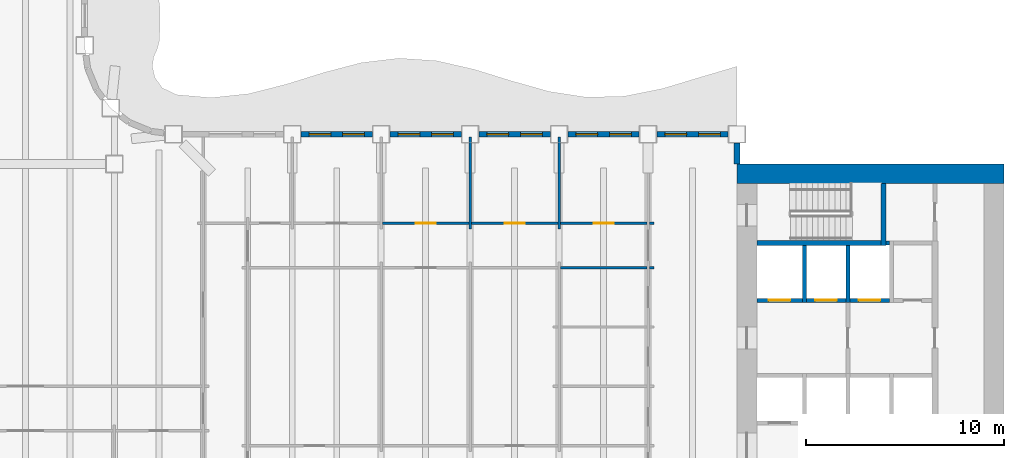
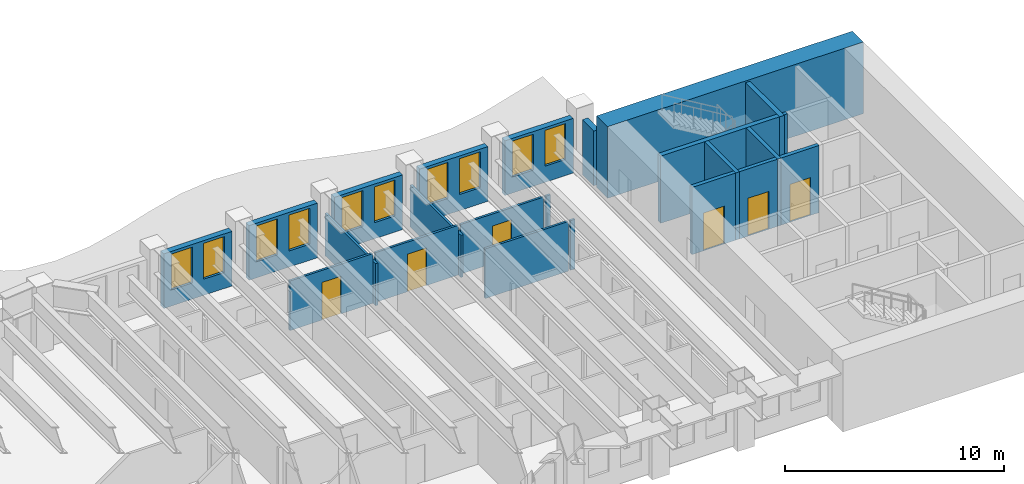
# One storey, part 7 of 16: 23 walls, 10 windows, 6 doors, 16 openings.
"""IFC4 building model written with IfcOpenShell, lengths in metres."""

import ifcopenshell
import ifcopenshell.guid

model = None  # the IFC model being written
_history = None  # IfcOwnerHistory: only IFC2X3 demands one
_inside = {}  # id of a spatial element -> (the spatial element, [elements in it])
_under = {}  # id of a project, library or spatial element -> (it, [spatial elements below it])
_declared = {}  # id of a project -> (the project, [libraries it declares])
_typed = {}  # id of a type object -> (the type object, [elements of that type])
_made_of = {}  # id of a material, layer set ... -> (it, [elements and type objects made of it])


def new_model(schema):
    """Start an empty IFC model of exactly this schema.

    Asked for "IFC4X3", IfcOpenShell would pick the latest addendum, in which some entities
    have other attributes; the version numbers below select the first issue.
    IFC2X3 requires an IfcOwnerHistory on every rooted entity: one is made here for all.
    """
    global model, _history
    if schema == "IFC4X3":
        model = ifcopenshell.file(schema_version=(4, 3, 0, 0))
    else:
        model = ifcopenshell.file(schema=schema)
    _inside.clear()
    _under.clear()
    _declared.clear()
    _typed.clear()
    _made_of.clear()
    _history = None
    if model.schema == "IFC2X3":
        org = make("IfcOrganization", Name="unknown")
        user = make(
            "IfcPersonAndOrganization",
            ThePerson=make("IfcPerson", FamilyName="unknown"),
            TheOrganization=org,
        )
        app = make(
            "IfcApplication",
            ApplicationDeveloper=org,
            Version="unknown",
            ApplicationFullName="unknown",
            ApplicationIdentifier="unknown",
        )
        _history = make(
            "IfcOwnerHistory",
            OwningUser=user,
            OwningApplication=app,
            ChangeAction="ADDED",
            CreationDate=0,
        )
    return model


def make(cls, **values):
    """One entity of the class cls with the attributes given. An attribute that is None is left unset."""
    return model.create_entity(
        cls, **{name: value for name, value in values.items() if value is not None}
    )


def rooted(cls, **values):
    """An entity with a GlobalId (a new one), such as an element, a storey or a relation."""
    return make(cls, GlobalId=ifcopenshell.guid.new(), OwnerHistory=_history, **values)


def si_unit(unit_type, name, prefix=None):
    """IfcSIUnit, for example si_unit("LENGTHUNIT", "METRE", prefix="MILLI")."""
    return make("IfcSIUnit", UnitType=unit_type, Prefix=prefix, Name=name)


def assignment(units):
    """IfcUnitAssignment: the units of a project."""
    return None if units is None else make("IfcUnitAssignment", Units=units)


def point(xyz):
    """IfcCartesianPoint."""
    return None if xyz is None else make("IfcCartesianPoint", Coordinates=xyz)


def direction(xyz):
    """IfcDirection."""
    return None if xyz is None else make("IfcDirection", DirectionRatios=xyz)


def frame(location, z_axis=None, x_axis=None):
    """IfcAxis2Placement3D, a coordinate frame: its origin and axes. An axis left out is left unset."""
    return make(
        "IfcAxis2Placement3D",
        Location=point(location),
        Axis=direction(z_axis),
        RefDirection=direction(x_axis),
    )


def frame_2d(location, x_axis=None):
    """IfcAxis2Placement2D, a coordinate frame in the plane: its origin and x axis."""
    return make(
        "IfcAxis2Placement2D", Location=point(location), RefDirection=direction(x_axis)
    )


def origin():
    """The frame at (0, 0, 0) with its axes left unset."""
    return frame((0.0, 0.0, 0.0))


def place(relative_to, where):
    """IfcLocalPlacement: puts the frame where relative to a parent placement (None: the world)."""
    return make(
        "IfcLocalPlacement", PlacementRelTo=relative_to, RelativePlacement=where
    )


def context(
    kind, dimensions, precision=None, world=None, true_north=None, identifier=None
):
    """IfcGeometricRepresentationContext, for example the 3D "Model" context."""
    return make(
        "IfcGeometricRepresentationContext",
        ContextIdentifier=identifier,
        ContextType=kind,
        CoordinateSpaceDimension=dimensions,
        Precision=precision,
        WorldCoordinateSystem=world,
        TrueNorth=true_north,
    )


def subcontext(parent, identifier, kind, view, scale=None):
    """IfcGeometricRepresentationSubContext, for example "Body" below "Model"."""
    return make(
        "IfcGeometricRepresentationSubContext",
        ContextIdentifier=identifier,
        ContextType=kind,
        ParentContext=parent,
        TargetScale=scale,
        TargetView=view,
    )


def project(units=None, contexts=None):
    """IfcProject with its units and contexts."""
    return rooted(
        "IfcProject",
        Name="project",
        RepresentationContexts=contexts,
        UnitsInContext=assignment(units),
    )


def spatial(cls, under=None, at=None, **own):
    """A site, building, storey or space (cls), placed at a placement, below another one or the project."""
    s = rooted(cls, ObjectPlacement=at, **own)
    if under is not None:
        _under.setdefault(under.id(), (under, []))[1].append(s)
    return s


def profile(cls, at=None, kind="AREA", **sizes):
    """A parametric profile (cls). Its sizes go by their IFC names, for example OverallWidth=200.0."""
    return make(cls, ProfileType=kind, Position=at, **sizes)


def rectangle(**sizes):
    """IfcRectangleProfileDef."""
    return profile("IfcRectangleProfileDef", **sizes)


def extrude(swept, where, along, depth):
    """IfcExtrudedAreaSolid: the profile swept, set in the frame where, extruded along a direction by depth."""
    return make(
        "IfcExtrudedAreaSolid",
        SweptArea=swept,
        Position=where,
        ExtrudedDirection=direction(along),
        Depth=depth,
    )


def shape(context_of_items, identifier, shape_type, items):
    """IfcShapeRepresentation: the items that make up one representation, for example the "Body"."""
    return make(
        "IfcShapeRepresentation",
        ContextOfItems=context_of_items,
        RepresentationIdentifier=identifier,
        RepresentationType=shape_type,
        Items=items,
    )


def material(Name=None, Category=None):
    """IfcMaterial."""
    return make("IfcMaterial", Name=Name, Category=Category)


def layer(
    of_material, thickness, ventilated=None, Name=None, Category=None, Priority=None
):
    """IfcMaterialLayer: one layer of a wall or slab, of a material (None: an air gap)."""
    return make(
        "IfcMaterialLayer",
        Material=of_material,
        LayerThickness=thickness,
        IsVentilated=ventilated,
        Name=Name,
        Category=Category,
        Priority=Priority,
    )


def layer_set(layers, Name=None):
    """IfcMaterialLayerSet."""
    return make("IfcMaterialLayerSet", MaterialLayers=layers, LayerSetName=Name)


def made_of(thing, what):
    """Note that an element or type object is made of a material, layer set ...; save() writes the relation."""
    if what is not None:
        _made_of.setdefault(what.id(), (what, []))[1].append(thing)
    return thing


def type_object(cls, material=None, **own):
    """A type object (cls), such as IfcWallType, which elements share."""
    return made_of(rooted(cls, **own), material)


def element(
    cls,
    number,
    at=None,
    inside=None,
    cuts=None,
    type_object=None,
    material=None,
    context=None,
    identifier="Body",
    shape_type=None,
    held_by="IfcProductDefinitionShape",
    body=None,
    shapes=None,
    **own,
):
    """One element of the class cls, such as IfcWall. Its Tag is "e" and its number.

    at: its placement. inside: the storey or other place that contains it. cuts: it is an
    opening in that element (IfcRelVoidsElement). A single representation is given by context,
    identifier, shape_type and body (its items); several are given by shapes. held_by: the class
    of the entity that holds the representations. save() writes the other relations.
    """
    e = rooted(cls, Tag="e%d" % number, ObjectPlacement=at, **own)
    if body is not None:
        shapes = [shape(context, identifier, shape_type, body)]
    if shapes is not None:
        e.Representation = make(held_by, Representations=shapes)
    if inside is not None:
        _inside.setdefault(inside.id(), (inside, []))[1].append(e)
    if cuts is not None:
        rooted(
            "IfcRelVoidsElement", RelatingBuildingElement=cuts, RelatedOpeningElement=e
        )
    if type_object is not None:
        _typed.setdefault(type_object.id(), (type_object, []))[1].append(e)
    return made_of(e, material)


def fill(opening, filler):
    """IfcRelFillsElement: the door or window that sits in an opening."""
    return rooted(
        "IfcRelFillsElement",
        RelatingOpeningElement=opening,
        RelatedBuildingElement=filler,
    )


def aggregate(whole, parts):
    """IfcRelAggregates: a whole, such as a stair, and the parts it consists of."""
    return rooted("IfcRelAggregates", RelatingObject=whole, RelatedObjects=parts)


def save(model, path):
    """Write the relations noted so far, then the file.

    IfcRelAggregates (storeys below a building ...), IfcRelContainedInSpatialStructure (elements
    in a storey), IfcRelDefinesByType, IfcRelAssociatesMaterial and IfcRelDeclares: one each for
    every whole, place, type object, material and project.
    """
    for whole, parts in _under.values():
        aggregate(whole, parts)
    for where, things in _inside.values():
        rooted(
            "IfcRelContainedInSpatialStructure",
            RelatedElements=things,
            RelatingStructure=where,
        )
    for kind, things in _typed.values():
        rooted("IfcRelDefinesByType", RelatedObjects=things, RelatingType=kind)
    for what, things in _made_of.values():
        rooted("IfcRelAssociatesMaterial", RelatedObjects=things, RelatingMaterial=what)
    for by, libraries in _declared.values():
        rooted("IfcRelDeclares", RelatingContext=by, RelatedDefinitions=libraries)
    model.write(path)


model = new_model("IFC4")

# Units and contexts
model_context = context("Model", 3, precision=1e-05, world=origin(), true_north=direction((0.0, 1.0)))
body_context = subcontext(model_context, "Body", "Model", "MODEL_VIEW")
ifc_project = project(units=[si_unit("LENGTHUNIT", "METRE"), si_unit("AREAUNIT", "SQUARE_METRE"), si_unit("VOLUMEUNIT", "CUBIC_METRE"), si_unit("PLANEANGLEUNIT", "RADIAN"), si_unit("MASSUNIT", "GRAM", prefix="KILO")], contexts=[model_context])

# Site, building, storey
site_placement = place(None, origin())
site = spatial("IfcSite", under=ifc_project, at=site_placement, CompositionType="ELEMENT")
building_placement = place(site_placement, origin())
building = spatial("IfcBuilding", under=site, at=building_placement, Name="Sennacour Bend Tower", CompositionType="ELEMENT")
storey_placement = place(building_placement, frame((0.0, 0.0, 183.0)))
storey = spatial("IfcBuildingStorey", under=building, at=storey_placement, Name="L42", CompositionType="ELEMENT", Elevation=183.0)

# Walls
ifc_material_1 = material(Name="Concrete C60/75", Category="concrete")
ifc_layer_1 = layer(ifc_material_1, 1.0, Name="Concrete C60/75", Category="concrete")
ifc_layer_set_1 = layer_set([ifc_layer_1], Name="Concrete C60/75")
wall_type_1 = type_object("IfcWallType", Name="Core wall 1000 C60/75", PredefinedType="SHEAR", material=ifc_layer_set_1)
wall_1_placement = place(storey_placement, frame((54.0, 22.0, -0.14990234375), z_axis=(0.0, 0.0, 1.0), x_axis=(1.0, 0.0, 0.0)))
element("IfcWall", 1, at=wall_1_placement, inside=storey, type_object=wall_type_1, Name="Core A wall L42 N", PredefinedType="SHEAR", context=body_context, shape_type="SweptSolid", body=[
    extrude(rectangle(XDim=13.5, YDim=1.0, at=frame_2d((6.75, 0.0))), origin(), (0.0, 0.0, 1.0), 4.0),
])
ifc_material_2 = material(Name="Plasterboard partition on steel studs", Category="steel")
ifc_layer_2 = layer(ifc_material_2, 0.1201171875, Name="Plasterboard partition on steel studs", Category="steel")
ifc_layer_set_2 = layer_set([ifc_layer_2], Name="Plasterboard partition on steel studs")
wall_type_2 = type_object("IfcWallType", Name="Partition 120", PredefinedType="PARTITIONING", material=ifc_layer_set_2)
for number, where, z_axis, x_axis, name in (
    (2, (40.5, 19.199951171875, 0.0), (0.0, 0.0, 1.0), (0.0, 1.0, 0.0), "P-L42-W030a"),
    (3, (45.0, 19.199951171875, 0.0), (0.0, 0.0, 1.0), (0.0, 1.0, 0.0), "P-L42-W033a"),
):
    element("IfcWall", number, at=place(storey_placement, frame(where, z_axis=z_axis, x_axis=x_axis)), inside=storey, type_object=wall_type_2, Name=name, PredefinedType="PARTITIONING", context=body_context, shape_type="SweptSolid", body=[
        extrude(rectangle(XDim=4.650146484375, YDim=0.1201171875, at=frame_2d((2.3251953125, 0.0))), origin(), (0.0, 0.0, 1.0), 2.35009765625),
    ])
wall_2_placement = place(storey_placement, frame((45.06005859375, 17.25, 0.0), z_axis=(0.0, 0.0, 1.0), x_axis=(1.0, 0.0, 0.0)))
element("IfcWall", 4, at=wall_2_placement, inside=storey, type_object=wall_type_2, Name="P-L42-W068ae", PredefinedType="PARTITIONING", context=body_context, shape_type="SweptSolid", body=[
    extrude(rectangle(XDim=4.3798828125, YDim=0.1201171875, at=frame_2d((2.18994140625, 0.0))), origin(), (0.0, 0.0, 1.0), 2.77001953125),
])
wall_3_placement = place(storey_placement, frame((49.56005859375, 17.25, 0.0), z_axis=(0.0, 0.0, 1.0), x_axis=(1.0, 0.0, 0.0)))
element("IfcWall", 5, at=wall_3_placement, inside=storey, type_object=wall_type_2, Name="P-L42-W068af", PredefinedType="PARTITIONING", context=body_context, shape_type="SweptSolid", body=[
    extrude(rectangle(XDim=0.239990234375, YDim=0.1201171875, at=frame_2d((0.1201171875, 0.0))), origin(), (0.0, 0.0, 1.0), 2.77001953125),
])

# Wall, opening, door
wall_4_placement = place(storey_placement, frame((36.06005859375, 19.5, 0.0), z_axis=(0.0, 0.0, 1.0), x_axis=(1.0, 0.0, 0.0)))
wall_4 = element("IfcWall", 6, at=wall_4_placement, inside=storey, type_object=wall_type_2, Name="P-L42-W072ae", PredefinedType="PARTITIONING", context=body_context, shape_type="SweptSolid", body=[
    extrude(rectangle(XDim=4.3798828125, YDim=0.1201171875, at=frame_2d((2.18994140625, 0.0))), origin(), (0.0, 0.0, 1.0), 2.77001953125),
])
opening_1_placement = place(wall_4_placement, frame((1.68994140625, 0.0, 0.0)))
opening_1 = element("IfcOpeningElement", 7, at=opening_1_placement, cuts=wall_4, Name="Opening OD2", PredefinedType="OPENING", context=body_context, shape_type="SweptSolid", body=[
    extrude(rectangle(XDim=1.0, YDim=2.10009765625, at=frame_2d((0.5, 1.050048828125))), frame((0.0, 0.070068359375, 0.0), z_axis=(0.0, -1.0, 0.0), x_axis=(1.0, 0.0, 0.0)), (0.0, 0.0, 1.0), 0.14013671875),
])
ifc_material_3 = material(Name="Timber", Category="wood")
door_type_1 = type_object("IfcDoorType", Name="DR-OFFICE-1000", OperationType="NOTDEFINED", PredefinedType="DOOR", material=ifc_material_3)
door_1_placement = place(opening_1_placement, origin())
door_1 = element("IfcDoor", 8, at=door_1_placement, inside=storey, type_object=door_type_1, Name="Door", OperationType="SINGLE_SWING_LEFT", OverallHeight=2.10009765625, OverallWidth=1.0, PredefinedType="DOOR", context=body_context, shape_type="SweptSolid", body=[
    extrude(rectangle(XDim=1.0, YDim=2.10009765625, at=frame_2d((0.5, 1.050048828125))), frame((0.0, 0.02490234375, 0.0), z_axis=(0.0, -1.0, 0.0), x_axis=(1.0, 0.0, 0.0)), (0.0, 0.0, 1.0), 0.050048828125),
])
fill(opening_1, door_1)

wall_5_placement = place(storey_placement, frame((40.56005859375, 19.5, 0.0), z_axis=(0.0, 0.0, 1.0), x_axis=(1.0, 0.0, 0.0)))
wall_5 = element("IfcWall", 9, at=wall_5_placement, inside=storey, type_object=wall_type_2, Name="P-L42-W072af", PredefinedType="PARTITIONING", context=body_context, shape_type="SweptSolid", body=[
    extrude(rectangle(XDim=4.3798828125, YDim=0.1201171875, at=frame_2d((2.18994140625, 0.0))), origin(), (0.0, 0.0, 1.0), 2.77001953125),
])
opening_2_placement = place(wall_5_placement, frame((1.68994140625, 0.0, 0.0)))
opening_2 = element("IfcOpeningElement", 10, at=opening_2_placement, cuts=wall_5, Name="Opening MD2", PredefinedType="OPENING", context=body_context, shape_type="SweptSolid", body=[
    extrude(rectangle(XDim=1.0, YDim=2.10009765625, at=frame_2d((0.5, 1.050048828125))), frame((0.0, 0.070068359375, 0.0), z_axis=(0.0, -1.0, 0.0), x_axis=(1.0, 0.0, 0.0)), (0.0, 0.0, 1.0), 0.14013671875),
])
door_type_2 = type_object("IfcDoorType", Name="DR-MEETING-1000", OperationType="NOTDEFINED", PredefinedType="DOOR", material=ifc_material_3)
door_2_placement = place(opening_2_placement, origin())
door_2 = element("IfcDoor", 11, at=door_2_placement, inside=storey, type_object=door_type_2, Name="Door", OperationType="SINGLE_SWING_LEFT", OverallHeight=2.10009765625, OverallWidth=1.0, PredefinedType="DOOR", context=body_context, shape_type="SweptSolid", body=[
    extrude(rectangle(XDim=1.0, YDim=2.10009765625, at=frame_2d((0.5, 1.050048828125))), frame((0.0, 0.02490234375, 0.0), z_axis=(0.0, -1.0, 0.0), x_axis=(1.0, 0.0, 0.0)), (0.0, 0.0, 1.0), 0.050048828125),
])
fill(opening_2, door_2)

wall_6_placement = place(storey_placement, frame((45.06005859375, 19.5, 0.0), z_axis=(0.0, 0.0, 1.0), x_axis=(1.0, 0.0, 0.0)))
wall_6 = element("IfcWall", 12, at=wall_6_placement, inside=storey, type_object=wall_type_2, Name="P-L42-W072ag", PredefinedType="PARTITIONING", context=body_context, shape_type="SweptSolid", body=[
    extrude(rectangle(XDim=4.3798828125, YDim=0.1201171875, at=frame_2d((2.18994140625, 0.0))), origin(), (0.0, 0.0, 1.0), 2.77001953125),
])
opening_3_placement = place(wall_6_placement, frame((1.68994140625, 0.0, 0.0)))
opening_3 = element("IfcOpeningElement", 13, at=opening_3_placement, cuts=wall_6, Name="Opening OD2", PredefinedType="OPENING", context=body_context, shape_type="SweptSolid", body=[
    extrude(rectangle(XDim=1.0, YDim=2.10009765625, at=frame_2d((0.5, 1.050048828125))), frame((0.0, 0.070068359375, 0.0), z_axis=(0.0, -1.0, 0.0), x_axis=(1.0, 0.0, 0.0)), (0.0, 0.0, 1.0), 0.14013671875),
])
door_3_placement = place(opening_3_placement, origin())
door_3 = element("IfcDoor", 14, at=door_3_placement, inside=storey, type_object=door_type_1, Name="Door", OperationType="SINGLE_SWING_LEFT", OverallHeight=2.10009765625, OverallWidth=1.0, PredefinedType="DOOR", context=body_context, shape_type="SweptSolid", body=[
    extrude(rectangle(XDim=1.0, YDim=2.10009765625, at=frame_2d((0.5, 1.050048828125))), frame((0.0, 0.02490234375, 0.0), z_axis=(0.0, -1.0, 0.0), x_axis=(1.0, 0.0, 0.0)), (0.0, 0.0, 1.0), 0.050048828125),
])
fill(opening_3, door_3)

# Walls
wall_7_placement = place(storey_placement, frame((49.56005859375, 19.5, 0.0), z_axis=(0.0, 0.0, 1.0), x_axis=(1.0, 0.0, 0.0)))
element("IfcWall", 15, at=wall_7_placement, inside=storey, type_object=wall_type_2, Name="P-L42-W072ah", PredefinedType="PARTITIONING", context=body_context, shape_type="SweptSolid", body=[
    extrude(rectangle(XDim=0.239990234375, YDim=0.1201171875, at=frame_2d((0.1201171875, 0.0))), origin(), (0.0, 0.0, 1.0), 2.77001953125),
])
ifc_material_4 = material(Name="Warm limestone cladding", Category="masonry")
ifc_layer_3 = layer(ifc_material_4, 0.050048828125, Name="Warm limestone cladding", Category="masonry")
ifc_material_5 = material(Name="Precast concrete C40/50", Category="concrete")
ifc_layer_4 = layer(ifc_material_5, 0.25, Name="Precast concrete C40/50", Category="concrete")
ifc_layer_set_3 = layer_set([ifc_layer_3, ifc_layer_4], Name="Precast concrete C40/50 with limestone cladding")
wall_type_3 = type_object("IfcWallType", Name="STONE-CLAD PRECAST SPANDREL 300", PredefinedType="STANDARD", material=ifc_layer_set_3)
wall_8_placement = place(storey_placement, frame((54.0, 22.5, 0.0), z_axis=(0.0, 0.0, 1.0), x_axis=(0.0, 1.0, 0.0)))
element("IfcWall", 16, at=wall_8_placement, inside=storey, type_object=wall_type_3, Name="Stone spandrel and pier wall L42 07.00", PredefinedType="STANDARD", context=body_context, shape_type="SweptSolid", body=[
    extrude(rectangle(XDim=1.050048828125, YDim=0.300048828125, at=frame_2d((0.52490234375, 0.0))), origin(), (0.0, 0.0, 1.0), 3.049072265625),
])

# Wall, openings, windows
wall_9_placement = place(storey_placement, frame((53.550048828125, 24.0, 0.0), z_axis=(0.0, 0.0, 1.0), x_axis=(-1.0, 0.0, 0.0)))
wall_9 = element("IfcWall", 17, at=wall_9_placement, inside=storey, type_object=wall_type_3, Name="Stone spandrel and pier wall L42 08.00", PredefinedType="STANDARD", context=body_context, shape_type="SweptSolid", body=[
    extrude(rectangle(XDim=3.60009765625, YDim=0.300048828125, at=frame_2d((1.800048828125, 0.0))), origin(), (0.0, 0.0, 1.0), 3.049072265625),
])
opening_4_placement = place(wall_9_placement, frame((0.39990234375, 0.0, 0.89990234375)))
opening_4 = element("IfcOpeningElement", 18, at=opening_4_placement, cuts=wall_9, Name="Opening W19", PredefinedType="OPENING", context=body_context, shape_type="SweptSolid", body=[
    extrude(rectangle(XDim=1.10009765625, YDim=2.0, at=frame_2d((0.550048828125, 1.0))), frame((0.0, 0.16015625, 0.0), z_axis=(0.0, -1.0, 0.0), x_axis=(1.0, 0.0, 0.0)), (0.0, 0.0, 1.0), 0.320068359375),
])
opening_5_placement = place(wall_9_placement, frame((2.10009765625, 0.0, 0.89990234375)))
opening_5 = element("IfcOpeningElement", 19, at=opening_5_placement, cuts=wall_9, Name="Opening W19", PredefinedType="OPENING", context=body_context, shape_type="SweptSolid", body=[
    extrude(rectangle(XDim=1.10009765625, YDim=2.0, at=frame_2d((0.550048828125, 1.0))), frame((0.0, 0.16015625, 0.0), z_axis=(0.0, -1.0, 0.0), x_axis=(1.0, 0.0, 0.0)), (0.0, 0.0, 1.0), 0.320068359375),
])
ifc_material_6 = material(Name="Clear low-emissivity glass", Category="glass")
window_type = type_object("IfcWindowType", Name="WIN-RIBBON-1100x2000", PartitioningType="SINGLE_PANEL", PredefinedType="WINDOW", material=ifc_material_6)
window_1_placement = place(opening_4_placement, origin())
window_1 = element("IfcWindow", 20, at=window_1_placement, inside=storey, type_object=window_type, Name="Ribbon window L42 08.00.0", OverallHeight=2.0, OverallWidth=1.10009765625, PartitioningType="SINGLE_PANEL", PredefinedType="WINDOW", context=body_context, shape_type="SweptSolid", body=[
    extrude(rectangle(XDim=1.10009765625, YDim=2.0, at=frame_2d((0.550048828125, 1.0))), frame((0.0, 0.030029296875, 0.0), z_axis=(0.0, -1.0, 0.0), x_axis=(1.0, 0.0, 0.0)), (0.0, 0.0, 1.0), 0.06005859375),
])
fill(opening_4, window_1)
window_2_placement = place(opening_5_placement, origin())
window_2 = element("IfcWindow", 21, at=window_2_placement, inside=storey, type_object=window_type, Name="Ribbon window L42 08.00.1", OverallHeight=2.0, OverallWidth=1.10009765625, PartitioningType="SINGLE_PANEL", PredefinedType="WINDOW", context=body_context, shape_type="SweptSolid", body=[
    extrude(rectangle(XDim=1.10009765625, YDim=2.0, at=frame_2d((0.550048828125, 1.0))), frame((0.0, 0.030029296875, 0.0), z_axis=(0.0, -1.0, 0.0), x_axis=(1.0, 0.0, 0.0)), (0.0, 0.0, 1.0), 0.06005859375),
])
fill(opening_5, window_2)

wall_10_placement = place(storey_placement, frame((49.050048828125, 24.0, 0.0), z_axis=(0.0, 0.0, 1.0), x_axis=(-1.0, 0.0, 0.0)))
wall_10 = element("IfcWall", 22, at=wall_10_placement, inside=storey, type_object=wall_type_3, Name="Stone spandrel and pier wall L42 08.01", PredefinedType="STANDARD", context=body_context, shape_type="SweptSolid", body=[
    extrude(rectangle(XDim=3.60009765625, YDim=0.300048828125, at=frame_2d((1.800048828125, 0.0))), origin(), (0.0, 0.0, 1.0), 3.049072265625),
])
opening_6_placement = place(wall_10_placement, frame((0.39990234375, 0.0, 0.89990234375)))
opening_6 = element("IfcOpeningElement", 23, at=opening_6_placement, cuts=wall_10, Name="Opening W19", PredefinedType="OPENING", context=body_context, shape_type="SweptSolid", body=[
    extrude(rectangle(XDim=1.10009765625, YDim=2.0, at=frame_2d((0.550048828125, 1.0))), frame((0.0, 0.16015625, 0.0), z_axis=(0.0, -1.0, 0.0), x_axis=(1.0, 0.0, 0.0)), (0.0, 0.0, 1.0), 0.320068359375),
])
opening_7_placement = place(wall_10_placement, frame((2.10009765625, 0.0, 0.89990234375)))
opening_7 = element("IfcOpeningElement", 24, at=opening_7_placement, cuts=wall_10, Name="Opening W19", PredefinedType="OPENING", context=body_context, shape_type="SweptSolid", body=[
    extrude(rectangle(XDim=1.10009765625, YDim=2.0, at=frame_2d((0.550048828125, 1.0))), frame((0.0, 0.16015625, 0.0), z_axis=(0.0, -1.0, 0.0), x_axis=(1.0, 0.0, 0.0)), (0.0, 0.0, 1.0), 0.320068359375),
])
window_3_placement = place(opening_6_placement, origin())
window_3 = element("IfcWindow", 25, at=window_3_placement, inside=storey, type_object=window_type, Name="Ribbon window L42 08.01.0", OverallHeight=2.0, OverallWidth=1.10009765625, PartitioningType="SINGLE_PANEL", PredefinedType="WINDOW", context=body_context, shape_type="SweptSolid", body=[
    extrude(rectangle(XDim=1.10009765625, YDim=2.0, at=frame_2d((0.550048828125, 1.0))), frame((0.0, 0.030029296875, 0.0), z_axis=(0.0, -1.0, 0.0), x_axis=(1.0, 0.0, 0.0)), (0.0, 0.0, 1.0), 0.06005859375),
])
fill(opening_6, window_3)
window_4_placement = place(opening_7_placement, origin())
window_4 = element("IfcWindow", 26, at=window_4_placement, inside=storey, type_object=window_type, Name="Ribbon window L42 08.01.1", OverallHeight=2.0, OverallWidth=1.10009765625, PartitioningType="SINGLE_PANEL", PredefinedType="WINDOW", context=body_context, shape_type="SweptSolid", body=[
    extrude(rectangle(XDim=1.10009765625, YDim=2.0, at=frame_2d((0.550048828125, 1.0))), frame((0.0, 0.030029296875, 0.0), z_axis=(0.0, -1.0, 0.0), x_axis=(1.0, 0.0, 0.0)), (0.0, 0.0, 1.0), 0.06005859375),
])
fill(opening_7, window_4)

wall_11_placement = place(storey_placement, frame((44.550048828125, 24.0, 0.0), z_axis=(0.0, 0.0, 1.0), x_axis=(-1.0, 0.0, 0.0)))
wall_11 = element("IfcWall", 27, at=wall_11_placement, inside=storey, type_object=wall_type_3, Name="Stone spandrel and pier wall L42 08.02", PredefinedType="STANDARD", context=body_context, shape_type="SweptSolid", body=[
    extrude(rectangle(XDim=3.60009765625, YDim=0.300048828125, at=frame_2d((1.800048828125, 0.0))), origin(), (0.0, 0.0, 1.0), 3.049072265625),
])
opening_8_placement = place(wall_11_placement, frame((0.39990234375, 0.0, 0.89990234375)))
opening_8 = element("IfcOpeningElement", 28, at=opening_8_placement, cuts=wall_11, Name="Opening W19", PredefinedType="OPENING", context=body_context, shape_type="SweptSolid", body=[
    extrude(rectangle(XDim=1.10009765625, YDim=2.0, at=frame_2d((0.550048828125, 1.0))), frame((0.0, 0.16015625, 0.0), z_axis=(0.0, -1.0, 0.0), x_axis=(1.0, 0.0, 0.0)), (0.0, 0.0, 1.0), 0.320068359375),
])
opening_9_placement = place(wall_11_placement, frame((2.10009765625, 0.0, 0.89990234375)))
opening_9 = element("IfcOpeningElement", 29, at=opening_9_placement, cuts=wall_11, Name="Opening W19", PredefinedType="OPENING", context=body_context, shape_type="SweptSolid", body=[
    extrude(rectangle(XDim=1.10009765625, YDim=2.0, at=frame_2d((0.550048828125, 1.0))), frame((0.0, 0.16015625, 0.0), z_axis=(0.0, -1.0, 0.0), x_axis=(1.0, 0.0, 0.0)), (0.0, 0.0, 1.0), 0.320068359375),
])
window_5_placement = place(opening_8_placement, origin())
window_5 = element("IfcWindow", 30, at=window_5_placement, inside=storey, type_object=window_type, Name="Ribbon window L42 08.02.0", OverallHeight=2.0, OverallWidth=1.10009765625, PartitioningType="SINGLE_PANEL", PredefinedType="WINDOW", context=body_context, shape_type="SweptSolid", body=[
    extrude(rectangle(XDim=1.10009765625, YDim=2.0, at=frame_2d((0.550048828125, 1.0))), frame((0.0, 0.030029296875, 0.0), z_axis=(0.0, -1.0, 0.0), x_axis=(1.0, 0.0, 0.0)), (0.0, 0.0, 1.0), 0.06005859375),
])
fill(opening_8, window_5)
window_6_placement = place(opening_9_placement, origin())
window_6 = element("IfcWindow", 31, at=window_6_placement, inside=storey, type_object=window_type, Name="Ribbon window L42 08.02.1", OverallHeight=2.0, OverallWidth=1.10009765625, PartitioningType="SINGLE_PANEL", PredefinedType="WINDOW", context=body_context, shape_type="SweptSolid", body=[
    extrude(rectangle(XDim=1.10009765625, YDim=2.0, at=frame_2d((0.550048828125, 1.0))), frame((0.0, 0.030029296875, 0.0), z_axis=(0.0, -1.0, 0.0), x_axis=(1.0, 0.0, 0.0)), (0.0, 0.0, 1.0), 0.06005859375),
])
fill(opening_9, window_6)

wall_12_placement = place(storey_placement, frame((40.050048828125, 24.0, 0.0), z_axis=(0.0, 0.0, 1.0), x_axis=(-1.0, 0.0, 0.0)))
wall_12 = element("IfcWall", 32, at=wall_12_placement, inside=storey, type_object=wall_type_3, Name="Stone spandrel and pier wall L42 08.03", PredefinedType="STANDARD", context=body_context, shape_type="SweptSolid", body=[
    extrude(rectangle(XDim=3.60009765625, YDim=0.300048828125, at=frame_2d((1.800048828125, 0.0))), origin(), (0.0, 0.0, 1.0), 3.049072265625),
])
opening_10_placement = place(wall_12_placement, frame((0.39990234375, 0.0, 0.89990234375)))
opening_10 = element("IfcOpeningElement", 33, at=opening_10_placement, cuts=wall_12, Name="Opening W19", PredefinedType="OPENING", context=body_context, shape_type="SweptSolid", body=[
    extrude(rectangle(XDim=1.10009765625, YDim=2.0, at=frame_2d((0.550048828125, 1.0))), frame((0.0, 0.16015625, 0.0), z_axis=(0.0, -1.0, 0.0), x_axis=(1.0, 0.0, 0.0)), (0.0, 0.0, 1.0), 0.320068359375),
])
opening_11_placement = place(wall_12_placement, frame((2.10009765625, 0.0, 0.89990234375)))
opening_11 = element("IfcOpeningElement", 34, at=opening_11_placement, cuts=wall_12, Name="Opening W19", PredefinedType="OPENING", context=body_context, shape_type="SweptSolid", body=[
    extrude(rectangle(XDim=1.10009765625, YDim=2.0, at=frame_2d((0.550048828125, 1.0))), frame((0.0, 0.16015625, 0.0), z_axis=(0.0, -1.0, 0.0), x_axis=(1.0, 0.0, 0.0)), (0.0, 0.0, 1.0), 0.320068359375),
])
window_7_placement = place(opening_10_placement, origin())
window_7 = element("IfcWindow", 35, at=window_7_placement, inside=storey, type_object=window_type, Name="Ribbon window L42 08.03.0", OverallHeight=2.0, OverallWidth=1.10009765625, PartitioningType="SINGLE_PANEL", PredefinedType="WINDOW", context=body_context, shape_type="SweptSolid", body=[
    extrude(rectangle(XDim=1.10009765625, YDim=2.0, at=frame_2d((0.550048828125, 1.0))), frame((0.0, 0.030029296875, 0.0), z_axis=(0.0, -1.0, 0.0), x_axis=(1.0, 0.0, 0.0)), (0.0, 0.0, 1.0), 0.06005859375),
])
fill(opening_10, window_7)
window_8_placement = place(opening_11_placement, origin())
window_8 = element("IfcWindow", 36, at=window_8_placement, inside=storey, type_object=window_type, Name="Ribbon window L42 08.03.1", OverallHeight=2.0, OverallWidth=1.10009765625, PartitioningType="SINGLE_PANEL", PredefinedType="WINDOW", context=body_context, shape_type="SweptSolid", body=[
    extrude(rectangle(XDim=1.10009765625, YDim=2.0, at=frame_2d((0.550048828125, 1.0))), frame((0.0, 0.030029296875, 0.0), z_axis=(0.0, -1.0, 0.0), x_axis=(1.0, 0.0, 0.0)), (0.0, 0.0, 1.0), 0.06005859375),
])
fill(opening_11, window_8)

wall_13_placement = place(storey_placement, frame((35.550048828125, 24.0, 0.0), z_axis=(0.0, 0.0, 1.0), x_axis=(-1.0, 0.0, 0.0)))
wall_13 = element("IfcWall", 37, at=wall_13_placement, inside=storey, type_object=wall_type_3, Name="Stone spandrel and pier wall L42 08.04", PredefinedType="STANDARD", context=body_context, shape_type="SweptSolid", body=[
    extrude(rectangle(XDim=3.60009765625, YDim=0.300048828125, at=frame_2d((1.800048828125, 0.0))), origin(), (0.0, 0.0, 1.0), 3.049072265625),
])
opening_12_placement = place(wall_13_placement, frame((0.39990234375, 0.0, 0.89990234375)))
opening_12 = element("IfcOpeningElement", 38, at=opening_12_placement, cuts=wall_13, Name="Opening W19", PredefinedType="OPENING", context=body_context, shape_type="SweptSolid", body=[
    extrude(rectangle(XDim=1.10009765625, YDim=2.0, at=frame_2d((0.550048828125, 1.0))), frame((0.0, 0.16015625, 0.0), z_axis=(0.0, -1.0, 0.0), x_axis=(1.0, 0.0, 0.0)), (0.0, 0.0, 1.0), 0.320068359375),
])
opening_13_placement = place(wall_13_placement, frame((2.10009765625, 0.0, 0.89990234375)))
opening_13 = element("IfcOpeningElement", 39, at=opening_13_placement, cuts=wall_13, Name="Opening W19", PredefinedType="OPENING", context=body_context, shape_type="SweptSolid", body=[
    extrude(rectangle(XDim=1.10009765625, YDim=2.0, at=frame_2d((0.550048828125, 1.0))), frame((0.0, 0.16015625, 0.0), z_axis=(0.0, -1.0, 0.0), x_axis=(1.0, 0.0, 0.0)), (0.0, 0.0, 1.0), 0.320068359375),
])
window_9_placement = place(opening_12_placement, origin())
window_9 = element("IfcWindow", 40, at=window_9_placement, inside=storey, type_object=window_type, Name="Ribbon window L42 08.04.0", OverallHeight=2.0, OverallWidth=1.10009765625, PartitioningType="SINGLE_PANEL", PredefinedType="WINDOW", context=body_context, shape_type="SweptSolid", body=[
    extrude(rectangle(XDim=1.10009765625, YDim=2.0, at=frame_2d((0.550048828125, 1.0))), frame((0.0, 0.030029296875, 0.0), z_axis=(0.0, -1.0, 0.0), x_axis=(1.0, 0.0, 0.0)), (0.0, 0.0, 1.0), 0.06005859375),
])
fill(opening_12, window_9)
window_10_placement = place(opening_13_placement, origin())
window_10 = element("IfcWindow", 41, at=window_10_placement, inside=storey, type_object=window_type, Name="Ribbon window L42 08.04.1", OverallHeight=2.0, OverallWidth=1.10009765625, PartitioningType="SINGLE_PANEL", PredefinedType="WINDOW", context=body_context, shape_type="SweptSolid", body=[
    extrude(rectangle(XDim=1.10009765625, YDim=2.0, at=frame_2d((0.550048828125, 1.0))), frame((0.0, 0.030029296875, 0.0), z_axis=(0.0, -1.0, 0.0), x_axis=(1.0, 0.0, 0.0)), (0.0, 0.0, 1.0), 0.06005859375),
])
fill(opening_13, window_10)

# Walls
ifc_material_7 = material(Name="Concrete C50/60", Category="concrete")
ifc_layer_5 = layer(ifc_material_7, 0.199951171875, Name="Concrete C50/60", Category="concrete")
ifc_layer_set_4 = layer_set([ifc_layer_5], Name="Concrete C50/60")
wall_type_4 = type_object("IfcWallType", Name="Shaft wall 200", PredefinedType="SOLIDWALL", material=ifc_layer_set_4)
for number, where, z_axis, x_axis, name in (
    (42, (57.39990234375, 15.5, 0.0), (0.0, 0.0, 1.0), (0.0, 1.0, 0.0), "P-L42-W037"),
    (43, (59.60009765625, 15.5, 0.0), (0.0, 0.0, 1.0), (0.0, 1.0, 0.0), "P-L42-W040"),
):
    element("IfcWall", number, at=place(storey_placement, frame(where, z_axis=z_axis, x_axis=x_axis)), inside=storey, type_object=wall_type_4, Name=name, PredefinedType="SOLIDWALL", context=body_context, shape_type="SweptSolid", body=[
        extrude(rectangle(XDim=2.875, YDim=0.199951171875, at=frame_2d((1.4375, 0.0))), origin(), (0.0, 0.0, 1.0), 3.75),
    ])

# Wall, opening, door
wall_14_placement = place(storey_placement, frame((55.0, 15.60009765625, 0.0), z_axis=(0.0, 0.0, 1.0), x_axis=(1.0, 0.0, 0.0)))
wall_14 = element("IfcWall", 44, at=wall_14_placement, inside=storey, type_object=wall_type_4, Name="P-L42-W065a", PredefinedType="SOLIDWALL", context=body_context, shape_type="SweptSolid", body=[
    extrude(rectangle(XDim=2.300048828125, YDim=0.199951171875, at=frame_2d((1.14990234375, 0.0))), origin(), (0.0, 0.0, 1.0), 3.75),
])
opening_14_placement = place(wall_14_placement, frame((0.60009765625, 0.0, 0.011962890625)))
opening_14 = element("IfcOpeningElement", 45, at=opening_14_placement, cuts=wall_14, Name="Opening FLD", PredefinedType="OPENING", context=body_context, shape_type="SweptSolid", body=[
    extrude(rectangle(XDim=1.10009765625, YDim=2.10009765625, at=frame_2d((0.550048828125, 1.050048828125))), frame((0.0, 0.10986328125, 0.0), z_axis=(0.0, -1.0, 0.0), x_axis=(1.0, 0.0, 0.0)), (0.0, 0.0, 1.0), 0.219970703125),
])
ifc_material_8 = material(Name="Stainless steel", Category="steel")
door_type_3 = type_object("IfcDoorType", Name="DR-FF-LANDING-1100", OperationType="NOTDEFINED", PredefinedType="DOOR", material=ifc_material_8)
door_4_placement = place(opening_14_placement, origin())
door_4 = element("IfcDoor", 46, at=door_4_placement, inside=storey, type_object=door_type_3, Name="Fire service lift landing door FA1", OperationType="SLIDING_TO_LEFT", OverallHeight=2.10009765625, OverallWidth=1.10009765625, PredefinedType="DOOR", context=body_context, shape_type="SweptSolid", body=[
    extrude(rectangle(XDim=1.10009765625, YDim=2.10009765625, at=frame_2d((0.550048828125, 1.050048828125))), frame((0.0, 0.02490234375, 0.0), z_axis=(0.0, -1.0, 0.0), x_axis=(1.0, 0.0, 0.0)), (0.0, 0.0, 1.0), 0.050048828125),
])
fill(opening_14, door_4)

wall_15_placement = place(storey_placement, frame((57.5, 15.60009765625, 0.0), z_axis=(0.0, 0.0, 1.0), x_axis=(1.0, 0.0, 0.0)))
wall_15 = element("IfcWall", 47, at=wall_15_placement, inside=storey, type_object=wall_type_4, Name="P-L42-W065b", PredefinedType="SOLIDWALL", context=body_context, shape_type="SweptSolid", body=[
    extrude(rectangle(XDim=2.0, YDim=0.199951171875, at=frame_2d((1.0, 0.0))), origin(), (0.0, 0.0, 1.0), 3.75),
])
opening_15_placement = place(wall_15_placement, frame((0.449951171875, 0.0, 0.011962890625)))
opening_15 = element("IfcOpeningElement", 48, at=opening_15_placement, cuts=wall_15, Name="Opening FLD", PredefinedType="OPENING", context=body_context, shape_type="SweptSolid", body=[
    extrude(rectangle(XDim=1.10009765625, YDim=2.10009765625, at=frame_2d((0.550048828125, 1.050048828125))), frame((0.0, 0.10986328125, 0.0), z_axis=(0.0, -1.0, 0.0), x_axis=(1.0, 0.0, 0.0)), (0.0, 0.0, 1.0), 0.219970703125),
])
door_5_placement = place(opening_15_placement, origin())
door_5 = element("IfcDoor", 49, at=door_5_placement, inside=storey, type_object=door_type_3, Name="Fire service lift landing door FA2", OperationType="SLIDING_TO_RIGHT", OverallHeight=2.10009765625, OverallWidth=1.10009765625, PredefinedType="DOOR", context=body_context, shape_type="SweptSolid", body=[
    extrude(rectangle(XDim=1.10009765625, YDim=2.10009765625, at=frame_2d((0.550048828125, 1.050048828125))), frame((0.0, 0.02490234375, 0.0), z_axis=(0.0, -1.0, 0.0), x_axis=(1.0, 0.0, 0.0)), (0.0, 0.0, 1.0), 0.050048828125),
])
fill(opening_15, door_5)

wall_16_placement = place(storey_placement, frame((59.699951171875, 15.60009765625, 0.0), z_axis=(0.0, 0.0, 1.0), x_axis=(1.0, 0.0, 0.0)))
wall_16 = element("IfcWall", 50, at=wall_16_placement, inside=storey, type_object=wall_type_4, Name="P-L42-W065c", PredefinedType="SOLIDWALL", context=body_context, shape_type="SweptSolid", body=[
    extrude(rectangle(XDim=2.0, YDim=0.199951171875, at=frame_2d((1.0, 0.0))), origin(), (0.0, 0.0, 1.0), 3.75),
])
opening_16_placement = place(wall_16_placement, frame((0.449951171875, 0.0, 0.011962890625)))
opening_16 = element("IfcOpeningElement", 51, at=opening_16_placement, cuts=wall_16, Name="Opening LD", PredefinedType="OPENING", context=body_context, shape_type="SweptSolid", body=[
    extrude(rectangle(XDim=1.10009765625, YDim=2.10009765625, at=frame_2d((0.550048828125, 1.050048828125))), frame((0.0, 0.10986328125, 0.0), z_axis=(0.0, -1.0, 0.0), x_axis=(1.0, 0.0, 0.0)), (0.0, 0.0, 1.0), 0.219970703125),
])
door_type_4 = type_object("IfcDoorType", Name="DR-LANDING-1100", OperationType="NOTDEFINED", PredefinedType="DOOR", material=ifc_material_8)
door_6_placement = place(opening_16_placement, origin())
door_6 = element("IfcDoor", 52, at=door_6_placement, inside=storey, type_object=door_type_4, Name="Lift landing door HA5", OperationType="SLIDING_TO_LEFT", OverallHeight=2.10009765625, OverallWidth=1.10009765625, PredefinedType="DOOR", context=body_context, shape_type="SweptSolid", body=[
    extrude(rectangle(XDim=1.10009765625, YDim=2.10009765625, at=frame_2d((0.550048828125, 1.050048828125))), frame((0.0, 0.02490234375, 0.0), z_axis=(0.0, -1.0, 0.0), x_axis=(1.0, 0.0, 0.0)), (0.0, 0.0, 1.0), 0.050048828125),
])
fill(opening_16, door_6)

# Walls
wall_17_placement = place(storey_placement, frame((61.52490234375, 18.5, 0.0), z_axis=(0.0, 0.0, 1.0), x_axis=(1.0, 0.0, 0.0)))
element("IfcWall", 53, at=wall_17_placement, inside=storey, type_object=wall_type_4, Name="P-L42-W070", PredefinedType="SOLIDWALL", context=body_context, shape_type="SweptSolid", body=[
    extrude(rectangle(XDim=0.175048828125, YDim=0.199951171875, at=frame_2d((0.08740234375, 0.0))), origin(), (0.0, 0.0, 1.0), 3.75),
])
ifc_layer_6 = layer(ifc_material_1, 0.25, Name="Concrete C60/75", Category="concrete")
ifc_layer_set_5 = layer_set([ifc_layer_6], Name="Concrete C60/75")
wall_type_5 = type_object("IfcWallType", Name="Stair wall 250", PredefinedType="SHEAR", material=ifc_layer_set_5)
wall_18_placement = place(storey_placement, frame((61.39990234375, 18.375, 0.0), z_axis=(0.0, 0.0, 1.0), x_axis=(0.0, 1.0, 0.0)))
element("IfcWall", 54, at=wall_18_placement, inside=storey, type_object=wall_type_5, Name="P-L42-W042", PredefinedType="SHEAR", context=body_context, shape_type="SweptSolid", body=[
    extrude(rectangle(XDim=3.125, YDim=0.25, at=frame_2d((1.5625, 0.0))), origin(), (0.0, 0.0, 1.0), 3.75),
])
wall_19_placement = place(storey_placement, frame((55.0, 18.5, 0.0), z_axis=(0.0, 0.0, 1.0), x_axis=(1.0, 0.0, 0.0)))
element("IfcWall", 55, at=wall_19_placement, inside=storey, type_object=wall_type_5, Name="P-L42-W069", PredefinedType="SHEAR", context=body_context, shape_type="SweptSolid", body=[
    extrude(rectangle(XDim=6.27490234375, YDim=0.25, at=frame_2d((3.137451171875, 0.0))), origin(), (0.0, 0.0, 1.0), 3.75),
])

save(model, "model.ifc")
